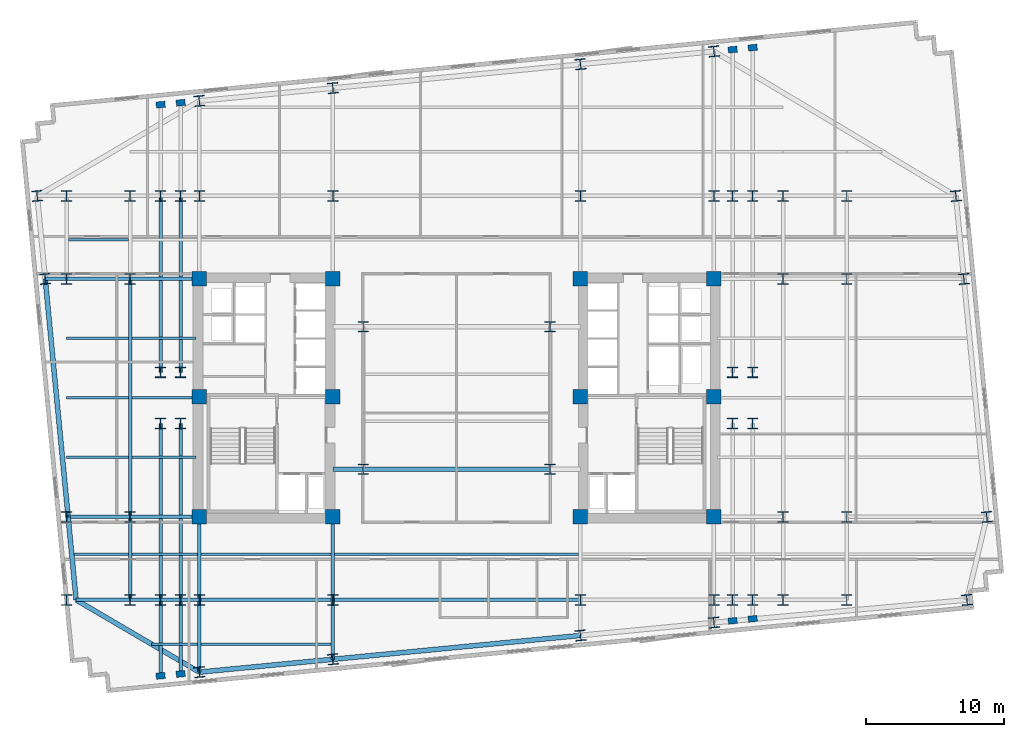
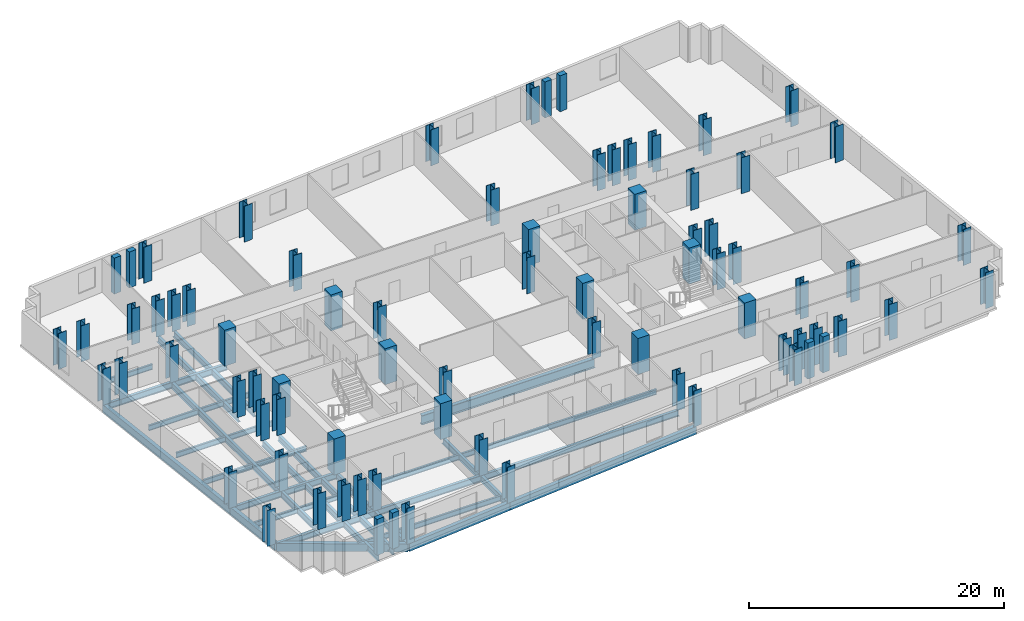
# One storey, part 1 of 11: 78 columns, 41 beams.
"""IFC4 building model written with IfcOpenShell, lengths in metres."""

import ifcopenshell
import ifcopenshell.guid

model = None  # the IFC model being written
_history = None  # IfcOwnerHistory: only IFC2X3 demands one
_inside = {}  # id of a spatial element -> (the spatial element, [elements in it])
_under = {}  # id of a project, library or spatial element -> (it, [spatial elements below it])
_declared = {}  # id of a project -> (the project, [libraries it declares])
_typed = {}  # id of a type object -> (the type object, [elements of that type])
_made_of = {}  # id of a material, layer set ... -> (it, [elements and type objects made of it])


def new_model(schema):
    """Start an empty IFC model of exactly this schema.

    Asked for "IFC4X3", IfcOpenShell would pick the latest addendum, in which some entities
    have other attributes; the version numbers below select the first issue.
    IFC2X3 requires an IfcOwnerHistory on every rooted entity: one is made here for all.
    """
    global model, _history
    if schema == "IFC4X3":
        model = ifcopenshell.file(schema_version=(4, 3, 0, 0))
    else:
        model = ifcopenshell.file(schema=schema)
    _inside.clear()
    _under.clear()
    _declared.clear()
    _typed.clear()
    _made_of.clear()
    _history = None
    if model.schema == "IFC2X3":
        org = make("IfcOrganization", Name="unknown")
        user = make(
            "IfcPersonAndOrganization",
            ThePerson=make("IfcPerson", FamilyName="unknown"),
            TheOrganization=org,
        )
        app = make(
            "IfcApplication",
            ApplicationDeveloper=org,
            Version="unknown",
            ApplicationFullName="unknown",
            ApplicationIdentifier="unknown",
        )
        _history = make(
            "IfcOwnerHistory",
            OwningUser=user,
            OwningApplication=app,
            ChangeAction="ADDED",
            CreationDate=0,
        )
    return model


def make(cls, **values):
    """One entity of the class cls with the attributes given. An attribute that is None is left unset."""
    return model.create_entity(
        cls, **{name: value for name, value in values.items() if value is not None}
    )


def rooted(cls, **values):
    """An entity with a GlobalId (a new one), such as an element, a storey or a relation."""
    return make(cls, GlobalId=ifcopenshell.guid.new(), OwnerHistory=_history, **values)


def si_unit(unit_type, name, prefix=None):
    """IfcSIUnit, for example si_unit("LENGTHUNIT", "METRE", prefix="MILLI")."""
    return make("IfcSIUnit", UnitType=unit_type, Prefix=prefix, Name=name)


def assignment(units):
    """IfcUnitAssignment: the units of a project."""
    return None if units is None else make("IfcUnitAssignment", Units=units)


def point(xyz):
    """IfcCartesianPoint."""
    return None if xyz is None else make("IfcCartesianPoint", Coordinates=xyz)


def direction(xyz):
    """IfcDirection."""
    return None if xyz is None else make("IfcDirection", DirectionRatios=xyz)


def frame(location, z_axis=None, x_axis=None):
    """IfcAxis2Placement3D, a coordinate frame: its origin and axes. An axis left out is left unset."""
    return make(
        "IfcAxis2Placement3D",
        Location=point(location),
        Axis=direction(z_axis),
        RefDirection=direction(x_axis),
    )


def frame_2d(location, x_axis=None):
    """IfcAxis2Placement2D, a coordinate frame in the plane: its origin and x axis."""
    return make(
        "IfcAxis2Placement2D", Location=point(location), RefDirection=direction(x_axis)
    )


def origin():
    """The frame at (0, 0, 0) with its axes left unset."""
    return frame((0.0, 0.0, 0.0))


def origin_2d():
    """The frame at (0, 0) in the plane with its x axis left unset."""
    return frame_2d((0.0, 0.0))


def place(relative_to, where):
    """IfcLocalPlacement: puts the frame where relative to a parent placement (None: the world)."""
    return make(
        "IfcLocalPlacement", PlacementRelTo=relative_to, RelativePlacement=where
    )


def context(
    kind, dimensions, precision=None, world=None, true_north=None, identifier=None
):
    """IfcGeometricRepresentationContext, for example the 3D "Model" context."""
    return make(
        "IfcGeometricRepresentationContext",
        ContextIdentifier=identifier,
        ContextType=kind,
        CoordinateSpaceDimension=dimensions,
        Precision=precision,
        WorldCoordinateSystem=world,
        TrueNorth=true_north,
    )


def subcontext(parent, identifier, kind, view, scale=None):
    """IfcGeometricRepresentationSubContext, for example "Body" below "Model"."""
    return make(
        "IfcGeometricRepresentationSubContext",
        ContextIdentifier=identifier,
        ContextType=kind,
        ParentContext=parent,
        TargetScale=scale,
        TargetView=view,
    )


def project(units=None, contexts=None):
    """IfcProject with its units and contexts."""
    return rooted(
        "IfcProject",
        Name="project",
        RepresentationContexts=contexts,
        UnitsInContext=assignment(units),
    )


def spatial(cls, under=None, at=None, **own):
    """A site, building, storey or space (cls), placed at a placement, below another one or the project."""
    s = rooted(cls, ObjectPlacement=at, **own)
    if under is not None:
        _under.setdefault(under.id(), (under, []))[1].append(s)
    return s


def profile(cls, at=None, kind="AREA", **sizes):
    """A parametric profile (cls). Its sizes go by their IFC names, for example OverallWidth=200.0."""
    return make(cls, ProfileType=kind, Position=at, **sizes)


def rectangle(**sizes):
    """IfcRectangleProfileDef."""
    return profile("IfcRectangleProfileDef", **sizes)


def i_section(**sizes):
    """IfcIShapeProfileDef."""
    return profile("IfcIShapeProfileDef", **sizes)


def extrude(swept, where, along, depth):
    """IfcExtrudedAreaSolid: the profile swept, set in the frame where, extruded along a direction by depth."""
    return make(
        "IfcExtrudedAreaSolid",
        SweptArea=swept,
        Position=where,
        ExtrudedDirection=direction(along),
        Depth=depth,
    )


def shape(context_of_items, identifier, shape_type, items):
    """IfcShapeRepresentation: the items that make up one representation, for example the "Body"."""
    return make(
        "IfcShapeRepresentation",
        ContextOfItems=context_of_items,
        RepresentationIdentifier=identifier,
        RepresentationType=shape_type,
        Items=items,
    )


def material(Name=None, Category=None):
    """IfcMaterial."""
    return make("IfcMaterial", Name=Name, Category=Category)


def material_profile(
    of_material, cross_section, Name=None, Category=None, Priority=None
):
    """IfcMaterialProfile: a cross section and its material."""
    return make(
        "IfcMaterialProfile",
        Name=Name,
        Material=of_material,
        Profile=cross_section,
        Priority=Priority,
        Category=Category,
    )


def profile_set(profiles, Name=None, composite=None):
    """IfcMaterialProfileSet."""
    return make(
        "IfcMaterialProfileSet",
        Name=Name,
        MaterialProfiles=profiles,
        CompositeProfile=composite,
    )


def made_of(thing, what):
    """Note that an element or type object is made of a material, layer set ...; save() writes the relation."""
    if what is not None:
        _made_of.setdefault(what.id(), (what, []))[1].append(thing)
    return thing


def type_object(cls, material=None, **own):
    """A type object (cls), such as IfcWallType, which elements share."""
    return made_of(rooted(cls, **own), material)


def element(
    cls,
    number,
    at=None,
    inside=None,
    cuts=None,
    type_object=None,
    material=None,
    context=None,
    identifier="Body",
    shape_type=None,
    held_by="IfcProductDefinitionShape",
    body=None,
    shapes=None,
    **own,
):
    """One element of the class cls, such as IfcWall. Its Tag is "e" and its number.

    at: its placement. inside: the storey or other place that contains it. cuts: it is an
    opening in that element (IfcRelVoidsElement). A single representation is given by context,
    identifier, shape_type and body (its items); several are given by shapes. held_by: the class
    of the entity that holds the representations. save() writes the other relations.
    """
    e = rooted(cls, Tag="e%d" % number, ObjectPlacement=at, **own)
    if body is not None:
        shapes = [shape(context, identifier, shape_type, body)]
    if shapes is not None:
        e.Representation = make(held_by, Representations=shapes)
    if inside is not None:
        _inside.setdefault(inside.id(), (inside, []))[1].append(e)
    if cuts is not None:
        rooted(
            "IfcRelVoidsElement", RelatingBuildingElement=cuts, RelatedOpeningElement=e
        )
    if type_object is not None:
        _typed.setdefault(type_object.id(), (type_object, []))[1].append(e)
    return made_of(e, material)


def aggregate(whole, parts):
    """IfcRelAggregates: a whole, such as a stair, and the parts it consists of."""
    return rooted("IfcRelAggregates", RelatingObject=whole, RelatedObjects=parts)


def save(model, path):
    """Write the relations noted so far, then the file.

    IfcRelAggregates (storeys below a building ...), IfcRelContainedInSpatialStructure (elements
    in a storey), IfcRelDefinesByType, IfcRelAssociatesMaterial and IfcRelDeclares: one each for
    every whole, place, type object, material and project.
    """
    for whole, parts in _under.values():
        aggregate(whole, parts)
    for where, things in _inside.values():
        rooted(
            "IfcRelContainedInSpatialStructure",
            RelatedElements=things,
            RelatingStructure=where,
        )
    for kind, things in _typed.values():
        rooted("IfcRelDefinesByType", RelatedObjects=things, RelatingType=kind)
    for what, things in _made_of.values():
        rooted("IfcRelAssociatesMaterial", RelatedObjects=things, RelatingMaterial=what)
    for by, libraries in _declared.values():
        rooted("IfcRelDeclares", RelatingContext=by, RelatedDefinitions=libraries)
    model.write(path)


model = new_model("IFC4")

# Units and contexts
model_context = context("Model", 3, precision=1e-05, world=origin(), true_north=direction((0.0, 1.0)))
body_context = subcontext(model_context, "Body", "Model", "MODEL_VIEW")
ifc_project = project(units=[si_unit("LENGTHUNIT", "METRE"), si_unit("AREAUNIT", "SQUARE_METRE"), si_unit("VOLUMEUNIT", "CUBIC_METRE"), si_unit("PLANEANGLEUNIT", "RADIAN"), si_unit("MASSUNIT", "GRAM", prefix="KILO")], contexts=[model_context])

# Site, building, storey
site_placement = place(None, origin())
site = spatial("IfcSite", under=ifc_project, at=site_placement, CompositionType="ELEMENT")
building_placement = place(site_placement, origin())
building = spatial("IfcBuilding", under=site, at=building_placement, Name="Velakula Bourse", CompositionType="ELEMENT")
storey_placement = place(building_placement, frame((0.0, 0.0, 101.800048828125)))
storey = spatial("IfcBuildingStorey", under=building, at=storey_placement, Name="L27", CompositionType="ELEMENT", Elevation=101.800048828125)

# Columns
ifc_material_1 = material(Name="Concrete M70 (fck 70 MPa)", Category="concrete")
ifc_material_profile_1 = material_profile(ifc_material_1, rectangle(XDim=1.050048828125, YDim=1.050048828125, at=origin_2d()), Name="Concrete M70 (fck 70 MPa)")
ifc_profile_set_1 = profile_set([ifc_material_profile_1], Name="Concrete M70 (fck 70 MPa)")
column_type_1 = type_object("IfcColumnType", Name="COL-RC-1050", PredefinedType="COLUMN", material=ifc_profile_set_1)
for number, where, z_axis, x_axis, name in (
    (1, (-8.949951171875, -8.60009765625, 0.0), (0.0, 0.0, 1.0), (1.0, 0.0, 0.0), "L27 Core Boundary Column 01"),
    (2, (-8.949951171875, 0.10009765625, 0.0), (0.0, 0.0, 1.0), (1.0, 0.0, 0.0), "L27 Core Boundary Column 02"),
    (3, (-8.949951171875, 8.60009765625, 0.0), (0.0, 0.0, 1.0), (1.0, 0.0, 0.0), "L27 Core Boundary Column 03"),
    (4, (-18.60009765625, -8.60009765625, 0.0), (0.0, 0.0, 1.0), (1.0, 0.0, 0.0), "L27 Core Boundary Column 04"),
    (5, (-18.60009765625, 0.10009765625, 0.0), (0.0, 0.0, 1.0), (1.0, 0.0, 0.0), "L27 Core Boundary Column 05"),
    (6, (-18.60009765625, 8.60009765625, 0.0), (0.0, 0.0, 1.0), (1.0, 0.0, 0.0), "L27 Core Boundary Column 06"),
    (7, (8.949951171875, -8.60009765625, 0.0), (0.0, 0.0, 1.0), (1.0, 0.0, 0.0), "L27 Core Boundary Column 07"),
    (8, (8.949951171875, 0.10009765625, 0.0), (0.0, 0.0, 1.0), (1.0, 0.0, 0.0), "L27 Core Boundary Column 08"),
    (9, (8.949951171875, 8.60009765625, 0.0), (0.0, 0.0, 1.0), (1.0, 0.0, 0.0), "L27 Core Boundary Column 09"),
    (10, (18.60009765625, -8.60009765625, 0.0), (0.0, 0.0, 1.0), (1.0, 0.0, 0.0), "L27 Core Boundary Column 10"),
    (11, (18.60009765625, 0.10009765625, 0.0), (0.0, 0.0, 1.0), (1.0, 0.0, 0.0), "L27 Core Boundary Column 11"),
    (12, (18.60009765625, 8.60009765625, 0.0), (0.0, 0.0, 1.0), (1.0, 0.0, 0.0), "L27 Core Boundary Column 12"),
):
    element("IfcColumn", number, at=place(storey_placement, frame(where, z_axis=z_axis, x_axis=x_axis)), inside=storey, type_object=column_type_1, Name=name, PredefinedType="COLUMN", context=body_context, shape_type="SweptSolid", body=[
        extrude(rectangle(XDim=1.050048828125, YDim=1.050048828125, at=origin_2d()), origin(), (0.0, 0.0, 1.0), 3.449951171875),
    ])
ifc_material_2 = material(Name="Steel IS 2062 Grade 450 (E450)", Category="steel")
ifc_material_profile_2 = material_profile(ifc_material_2, i_section(OverallWidth=0.75, OverallDepth=0.75, WebThickness=0.030029296875, FlangeThickness=0.0439453125, at=origin_2d()), Name="Steel IS 2062 Grade 450 (E450)")
ifc_profile_set_2 = profile_set([ifc_material_profile_2], Name="Steel IS 2062 Grade 450 (E450)")
column_type_2 = type_object("IfcColumnType", Name="COL-STL-750", PredefinedType="COLUMN", material=ifc_profile_set_2)
for number, where, z_axis, x_axis, name in (
    (13, (-6.75, -5.14990234375, 0.0), (0.0, 0.0, 1.0), (1.0, 0.0, 0.0), "L27 Central Spine Column 01"),
    (14, (-6.75, 5.14990234375, 0.0), (0.0, 0.0, 1.0), (1.0, 0.0, 0.0), "L27 Central Spine Column 02"),
    (15, (6.75, -5.14990234375, 0.0), (0.0, 0.0, 1.0), (1.0, 0.0, 0.0), "L27 Central Spine Column 03"),
    (16, (6.75, 5.14990234375, 0.0), (0.0, 0.0, 1.0), (1.0, 0.0, 0.0), "L27 Central Spine Column 04"),
    (17, (-21.39990234375, -14.60009765625, 0.0), (0.0, 0.0, 1.0), (1.0, 0.0, 0.0), "L27 Tower Fulcrum Column 01"),
    (18, (-21.39990234375, 14.60009765625, 0.0), (0.0, 0.0, 1.0), (1.0, 0.0, 0.0), "L27 Tower Fulcrum Column 02"),
    (19, (-19.949951171875, -14.60009765625, 0.0), (0.0, 0.0, 1.0), (1.0, 0.0, 0.0), "L27 Tower Fulcrum Column 03"),
    (20, (-19.949951171875, 14.60009765625, 0.0), (0.0, 0.0, 1.0), (1.0, 0.0, 0.0), "L27 Tower Fulcrum Column 04"),
    (21, (-18.60009765625, -14.60009765625, 0.0), (0.0, 0.0, 1.0), (1.0, 0.0, 0.0), "L27 Tower Fulcrum Column 05"),
    (22, (-18.60009765625, 14.60009765625, 0.0), (0.0, 0.0, 1.0), (1.0, 0.0, 0.0), "L27 Tower Fulcrum Column 06"),
    (23, (-8.949951171875, -14.60009765625, 0.0), (0.0, 0.0, 1.0), (1.0, 0.0, 0.0), "L27 Tower Fulcrum Column 07"),
    (24, (-8.949951171875, 14.60009765625, 0.0), (0.0, 0.0, 1.0), (1.0, 0.0, 0.0), "L27 Tower Fulcrum Column 08"),
    (25, (8.949951171875, -14.60009765625, 0.0), (0.0, 0.0, 1.0), (1.0, 0.0, 0.0), "L27 Tower Fulcrum Column 09"),
    (26, (8.949951171875, 14.60009765625, 0.0), (0.0, 0.0, 1.0), (1.0, 0.0, 0.0), "L27 Tower Fulcrum Column 10"),
    (27, (18.60009765625, -14.60009765625, 0.0), (0.0, 0.0, 1.0), (1.0, 0.0, 0.0), "L27 Tower Fulcrum Column 11"),
    (28, (18.60009765625, 14.60009765625, 0.0), (0.0, 0.0, 1.0), (1.0, 0.0, 0.0), "L27 Tower Fulcrum Column 12"),
    (29, (19.949951171875, -14.60009765625, 0.0), (0.0, 0.0, 1.0), (1.0, 0.0, 0.0), "L27 Tower Fulcrum Column 13"),
    (30, (19.949951171875, 14.60009765625, 0.0), (0.0, 0.0, 1.0), (1.0, 0.0, 0.0), "L27 Tower Fulcrum Column 14"),
    (31, (21.39990234375, -14.60009765625, 0.0), (0.0, 0.0, 1.0), (1.0, 0.0, 0.0), "L27 Tower Fulcrum Column 15"),
    (32, (21.39990234375, 14.60009765625, 0.0), (0.0, 0.0, 1.0), (1.0, 0.0, 0.0), "L27 Tower Fulcrum Column 16"),
    (33, (-21.39990234375, -1.85009765625, 0.0), (0.0, 0.0, 1.0), (1.0, 0.0, 0.0), "L27 Tower Fulcrum Column 17"),
    (34, (-21.39990234375, 1.85009765625, 0.0), (0.0, 0.0, 1.0), (1.0, 0.0, 0.0), "L27 Tower Fulcrum Column 18"),
    (35, (-19.949951171875, -1.85009765625, 0.0), (0.0, 0.0, 1.0), (1.0, 0.0, 0.0), "L27 Tower Fulcrum Column 19"),
    (36, (-19.949951171875, 1.85009765625, 0.0), (0.0, 0.0, 1.0), (1.0, 0.0, 0.0), "L27 Tower Fulcrum Column 20"),
    (37, (19.949951171875, -1.85009765625, 0.0), (0.0, 0.0, 1.0), (1.0, 0.0, 0.0), "L27 Tower Fulcrum Column 21"),
    (38, (19.949951171875, 1.85009765625, 0.0), (0.0, 0.0, 1.0), (1.0, 0.0, 0.0), "L27 Tower Fulcrum Column 22"),
    (39, (21.39990234375, -1.85009765625, 0.0), (0.0, 0.0, 1.0), (1.0, 0.0, 0.0), "L27 Tower Fulcrum Column 23"),
    (40, (21.39990234375, 1.85009765625, 0.0), (0.0, 0.0, 1.0), (1.0, 0.0, 0.0), "L27 Tower Fulcrum Column 24"),
    (41, (-23.60009765625, -14.60009765625, 0.0), (0.0, 0.0, 1.0), (1.0, 0.0, 0.0), "L27 Mid-Wing Plumb Column 01"),
    (42, (-23.60009765625, -8.60009765625, 0.0), (0.0, 0.0, 1.0), (1.0, 0.0, 0.0), "L27 Mid-Wing Plumb Column 02"),
    (43, (-23.60009765625, 8.60009765625, 0.0), (0.0, 0.0, 1.0), (1.0, 0.0, 0.0), "L27 Mid-Wing Plumb Column 03"),
    (44, (-23.60009765625, 14.60009765625, 0.0), (0.0, 0.0, 1.0), (1.0, 0.0, 0.0), "L27 Mid-Wing Plumb Column 04"),
    (45, (23.60009765625, -14.60009765625, 0.0), (0.0, 0.0, 1.0), (1.0, 0.0, 0.0), "L27 Mid-Wing Plumb Column 05"),
    (46, (23.60009765625, -8.60009765625, 0.0), (0.0, 0.0, 1.0), (1.0, 0.0, 0.0), "L27 Mid-Wing Plumb Column 06"),
    (47, (23.60009765625, 8.60009765625, 0.0), (0.0, 0.0, 1.0), (1.0, 0.0, 0.0), "L27 Mid-Wing Plumb Column 07"),
    (48, (23.60009765625, 14.60009765625, 0.0), (0.0, 0.0, 1.0), (1.0, 0.0, 0.0), "L27 Mid-Wing Plumb Column 08"),
    (49, (-28.199951171875, -14.60009765625, 0.0), (0.0, 0.0, 1.0), (1.0, 0.0, 0.0), "L27 Lower Wing Column 01"),
    (50, (-28.199951171875, -8.60009765625, 0.0), (0.0, 0.0, 1.0), (1.0, 0.0, 0.0), "L27 Lower Wing Column 02"),
    (51, (-28.199951171875, 8.60009765625, 0.0), (0.0, 0.0, 1.0), (1.0, 0.0, 0.0), "L27 Lower Wing Column 03"),
    (52, (-28.199951171875, 14.60009765625, 0.0), (0.0, 0.0, 1.0), (1.0, 0.0, 0.0), "L27 Lower Wing Column 04"),
    (53, (28.199951171875, -14.60009765625, 0.0), (0.0, 0.0, 1.0), (1.0, 0.0, 0.0), "L27 Lower Wing Column 05"),
    (54, (28.199951171875, -8.60009765625, 0.0), (0.0, 0.0, 1.0), (1.0, 0.0, 0.0), "L27 Lower Wing Column 06"),
    (55, (28.199951171875, 8.60009765625, 0.0), (0.0, 0.0, 1.0), (1.0, 0.0, 0.0), "L27 Lower Wing Column 07"),
    (56, (28.199951171875, 14.60009765625, 0.0), (0.0, 0.0, 1.0), (1.0, 0.0, 0.0), "L27 Lower Wing Column 08"),
    (57, (-18.60009765625, -19.8212890625, 0.0), (0.0, 0.0, 1.0), (0.995396198367, 0.09584575252, 0.0), "L27 Block B2 Perimeter Column S1"),
    (58, (-8.949951171875, -18.89208984375, 0.0), (0.0, 0.0, 1.0), (0.995396198367, 0.09584575252, 0.0), "L27 Block B2 Perimeter Column S2"),
    (59, (8.949951171875, -17.16845703125, 0.0), (0.0, 0.0, 1.0), (0.995396198367, 0.09584575252, 0.0), "L27 Block B2 Perimeter Column S3"),
    (60, (18.60009765625, -16.2392578125, 0.0), (0.0, 0.0, 1.0), (0.995396198367, 0.09584575252, 0.0), "L27 Block B2 Perimeter Column S4"),
    (61, (-18.60009765625, 21.468994140625, 0.0), (0.0, 0.0, 1.0), (0.995396198367, 0.09584575252, 0.0), "L27 Block B2 Perimeter Column N1"),
    (62, (-8.949951171875, 22.398193359375, 0.0), (0.0, 0.0, 1.0), (0.995396198367, 0.09584575252, 0.0), "L27 Block B2 Perimeter Column N2"),
    (63, (8.949951171875, 24.12158203125, 0.0), (0.0, 0.0, 1.0), (0.995396198367, 0.09584575252, 0.0), "L27 Block B2 Perimeter Column N3"),
    (64, (18.60009765625, 25.05078125, 0.0), (0.0, 0.0, 1.0), (0.995396198367, 0.09584575252, 0.0), "L27 Block B2 Perimeter Column N4"),
    (65, (-29.7421875, 8.60009765625, 0.0), (0.0, 0.0, 1.0), (0.995396198367, 0.09584575252, 0.0), "L27 Block B2 Perimeter Column W3"),
    (66, (-30.31982421875, 14.60009765625, 0.0), (0.0, 0.0, 1.0), (0.995396198367, 0.09584575252, 0.0), "L27 Block B2 Perimeter Column W4"),
    (67, (36.88818359375, -14.60009765625, 0.0), (0.0, 0.0, 1.0), (0.995396198367, 0.09584575252, 0.0), "L27 Block B2 Perimeter Column E1"),
    (68, (38.31982421875, -8.60009765625, 0.0), (0.0, 0.0, 1.0), (0.995396198367, 0.09584575252, 0.0), "L27 Block B2 Perimeter Column E2"),
    (69, (36.66357421875, 8.60009765625, 0.0), (0.0, 0.0, 1.0), (0.995396198367, 0.09584575252, 0.0), "L27 Block B2 Perimeter Column E3"),
    (70, (36.0859375, 14.60009765625, 0.0), (0.0, 0.0, 1.0), (0.995396198367, 0.09584575252, 0.0), "L27 Block B2 Perimeter Column E4"),
):
    element("IfcColumn", number, at=place(storey_placement, frame(where, z_axis=z_axis, x_axis=x_axis)), inside=storey, type_object=column_type_2, Name=name, PredefinedType="COLUMN", context=body_context, shape_type="SweptSolid", body=[
        extrude(i_section(OverallWidth=0.75, OverallDepth=0.75, WebThickness=0.030029296875, FlangeThickness=0.0439453125, at=origin_2d()), origin(), (0.0, 0.0, 1.0), 3.449951171875),
    ])
ifc_material_3 = material(Name="Precast concrete M45 (fck 45 MPa)", Category="concrete")
ifc_material_profile_3 = material_profile(ifc_material_3, rectangle(XDim=0.64990234375, YDim=0.449951171875, at=origin_2d()), Name="Precast concrete M45 (fck 45 MPa)")
ifc_profile_set_3 = profile_set([ifc_material_profile_3], Name="Precast concrete M45 (fck 45 MPa)")
column_type_3 = type_object("IfcColumnType", Name="PIL-BRICK-650", PredefinedType="PILASTER", material=ifc_profile_set_3)
for number, where, z_axis, x_axis, name in (
    (71, (-21.39990234375, -20.0908203125, 0.0), (0.0, 0.0, 1.0), (0.995396198367, 0.09584575252, 0.0), "L27 Brick Pier Pilaster 01"),
    (72, (-19.949951171875, -19.951171875, 0.0), (0.0, 0.0, 1.0), (0.995396198367, 0.09584575252, 0.0), "L27 Brick Pier Pilaster 02"),
    (73, (19.949951171875, -16.109130859375, 0.0), (0.0, 0.0, 1.0), (0.995396198367, 0.09584575252, 0.0), "L27 Brick Pier Pilaster 03"),
    (74, (21.39990234375, -15.969482421875, 0.0), (0.0, 0.0, 1.0), (0.995396198367, 0.09584575252, 0.0), "L27 Brick Pier Pilaster 04"),
    (75, (-21.39990234375, 21.19921875, 0.0), (0.0, 0.0, 1.0), (0.995396198367, 0.09584575252, 0.0), "L27 Brick Pier Pilaster 05"),
    (76, (-19.949951171875, 21.3388671875, 0.0), (0.0, 0.0, 1.0), (0.995396198367, 0.09584575252, 0.0), "L27 Brick Pier Pilaster 06"),
    (77, (19.949951171875, 25.180908203125, 0.0), (0.0, 0.0, 1.0), (0.995396198367, 0.09584575252, 0.0), "L27 Brick Pier Pilaster 07"),
    (78, (21.39990234375, 25.320556640625, 0.0), (0.0, 0.0, 1.0), (0.995396198367, 0.09584575252, 0.0), "L27 Brick Pier Pilaster 08"),
):
    element("IfcColumn", number, at=place(storey_placement, frame(where, z_axis=z_axis, x_axis=x_axis)), inside=storey, type_object=column_type_3, Name=name, PredefinedType="PILASTER", context=body_context, shape_type="SweptSolid", body=[
        extrude(rectangle(XDim=0.64990234375, YDim=0.449951171875, at=origin_2d()), origin(), (0.0, 0.0, 1.0), 3.449951171875),
    ])

# Beams
ifc_material_4 = material(Name="Steel IS 2062 Grade 350 (E350)", Category="steel")
ifc_material_profile_4 = material_profile(ifc_material_4, i_section(OverallWidth=0.25, OverallDepth=0.60009765625, WebThickness=0.01171875, FlangeThickness=0.023681640625, at=origin_2d()), Name="Steel IS 2062 Grade 350 (E350)")
ifc_profile_set_4 = profile_set([ifc_material_profile_4], Name="Steel IS 2062 Grade 350 (E350)")
beam_type_1 = type_object("IfcBeamType", Name="BM-GRD-600H", PredefinedType="BEAM", material=ifc_profile_set_4)
for number, where, z_axis, x_axis, name in (
    (79, (-18.60009765625, -14.60009765625, -0.47998046875), (0.0, 1.0, 0.0), (-1.0, 0.0, 0.0), "L27 Fulcrum Grid Girder FLC-WS"),
    (80, (-8.949951171875, -14.60009765625, -0.47998046875), (0.0, 1.0, 0.0), (-1.0, 0.0, 0.0), "L27 Fulcrum Grid Girder FLC-WCS"),
):
    element("IfcBeam", number, at=place(storey_placement, frame(where, z_axis=z_axis, x_axis=x_axis)), inside=storey, type_object=beam_type_1, Name=name, PredefinedType="BEAM", context=body_context, shape_type="SweptSolid", body=[
        extrude(i_section(OverallWidth=0.25, OverallDepth=0.60009765625, WebThickness=0.01171875, FlangeThickness=0.023681640625, at=origin_2d()), origin(), (0.0, 0.0, 1.0), 6.0),
    ])
beam_1_placement = place(storey_placement, frame((-18.60009765625, -14.60009765625, -0.47998046875), z_axis=(1.0, 0.0, 0.0), x_axis=(0.0, 1.0, 0.0)))
element("IfcBeam", 81, at=beam_1_placement, inside=storey, type_object=beam_type_1, Name="L27 Fulcrum Grid Girder FLC-S1", PredefinedType="BEAM", context=body_context, shape_type="SweptSolid", body=[
    extrude(i_section(OverallWidth=0.25, OverallDepth=0.60009765625, WebThickness=0.01171875, FlangeThickness=0.023681640625, at=origin_2d()), origin(), (0.0, 0.0, 1.0), 9.650146484375),
])
beam_2_placement = place(storey_placement, frame((-8.949951171875, -14.60009765625, -0.47998046875), z_axis=(1.0, 0.0, 0.0), x_axis=(0.0, 1.0, 0.0)))
element("IfcBeam", 82, at=beam_2_placement, inside=storey, type_object=beam_type_1, Name="L27 Fulcrum Grid Girder FLC-S2", PredefinedType="BEAM", context=body_context, shape_type="SweptSolid", body=[
    extrude(i_section(OverallWidth=0.25, OverallDepth=0.60009765625, WebThickness=0.01171875, FlangeThickness=0.023681640625, at=origin_2d()), origin(), (0.0, 0.0, 1.0), 17.89990234375),
])
for number, where, z_axis, x_axis, name in (
    (83, (-21.39990234375, -14.60009765625, -0.47998046875), (0.0, 1.0, 0.0), (-1.0, 0.0, 0.0), "L27 Fulcrum Grid Girder FLC-PSW1"),
    (84, (-21.39990234375, 1.85009765625, -0.47998046875), (0.0, 1.0, 0.0), (-1.0, 0.0, 0.0), "L27 Fulcrum Grid Girder FLC-PNW1"),
    (85, (-19.949951171875, -14.60009765625, -0.47998046875), (0.0, 1.0, 0.0), (-1.0, 0.0, 0.0), "L27 Fulcrum Grid Girder FLC-PSW2"),
    (86, (-19.949951171875, 1.85009765625, -0.47998046875), (0.0, 1.0, 0.0), (-1.0, 0.0, 0.0), "L27 Fulcrum Grid Girder FLC-PNW2"),
):
    element("IfcBeam", number, at=place(storey_placement, frame(where, z_axis=z_axis, x_axis=x_axis)), inside=storey, type_object=beam_type_1, Name=name, PredefinedType="BEAM", context=body_context, shape_type="SweptSolid", body=[
        extrude(i_section(OverallWidth=0.25, OverallDepth=0.60009765625, WebThickness=0.01171875, FlangeThickness=0.023681640625, at=origin_2d()), origin(), (0.0, 0.0, 1.0), 12.75),
    ])
for number, where, z_axis, x_axis, name in (
    (87, (-23.60009765625, -14.60009765625, -0.47998046875), (1.0, 0.0, 0.0), (0.0, 1.0, 0.0), "L27 Fulcrum Grid Girder MWG-WS1"),
    (88, (-23.60009765625, -8.60009765625, -0.47998046875), (1.0, 0.0, 0.0), (0.0, 1.0, 0.0), "L27 Fulcrum Grid Girder MWG-WS2"),
    (89, (-23.60009765625, 8.60009765625, -0.47998046875), (1.0, 0.0, 0.0), (0.0, 1.0, 0.0), "L27 Fulcrum Grid Girder MWG-WN1"),
):
    element("IfcBeam", number, at=place(storey_placement, frame(where, z_axis=z_axis, x_axis=x_axis)), inside=storey, type_object=beam_type_1, Name=name, PredefinedType="BEAM", context=body_context, shape_type="SweptSolid", body=[
        extrude(i_section(OverallWidth=0.25, OverallDepth=0.60009765625, WebThickness=0.01171875, FlangeThickness=0.023681640625, at=origin_2d()), origin(), (0.0, 0.0, 1.0), 5.0),
    ])
beam_3_placement = place(storey_placement, frame((-23.60009765625, -14.60009765625, -0.47998046875), z_axis=(0.0, 1.0, 0.0), x_axis=(-1.0, 0.0, 0.0)))
element("IfcBeam", 90, at=beam_3_placement, inside=storey, type_object=beam_type_1, Name="L27 Fulcrum Grid Girder MWG-WNS1", PredefinedType="BEAM", context=body_context, shape_type="SweptSolid", body=[
    extrude(i_section(OverallWidth=0.25, OverallDepth=0.60009765625, WebThickness=0.01171875, FlangeThickness=0.023681640625, at=origin_2d()), origin(), (0.0, 0.0, 1.0), 6.0),
])
beam_4_placement = place(storey_placement, frame((-23.60009765625, -8.60009765625, -0.47998046875), z_axis=(0.0, 1.0, 0.0), x_axis=(-1.0, 0.0, 0.0)))
element("IfcBeam", 91, at=beam_4_placement, inside=storey, type_object=beam_type_1, Name="L27 Fulcrum Grid Girder MWG-WNS2", PredefinedType="BEAM", context=body_context, shape_type="SweptSolid", body=[
    extrude(i_section(OverallWidth=0.25, OverallDepth=0.60009765625, WebThickness=0.01171875, FlangeThickness=0.023681640625, at=origin_2d()), origin(), (0.0, 0.0, 1.0), 17.2001953125),
])
beam_5_placement = place(storey_placement, frame((-27.50830078125, -14.60009765625, -0.47998046875), z_axis=(1.0, 0.0, 0.0), x_axis=(0.0, 1.0, 0.0)))
element("IfcBeam", 92, at=beam_5_placement, inside=storey, type_object=beam_type_1, Name="L27 Fulcrum Grid Girder WNG-WS1", PredefinedType="BEAM", context=body_context, shape_type="SweptSolid", body=[
    extrude(i_section(OverallWidth=0.25, OverallDepth=0.60009765625, WebThickness=0.01171875, FlangeThickness=0.023681640625, at=origin_2d()), origin(), (0.0, 0.0, 1.0), 3.908203125),
])
beam_6_placement = place(storey_placement, frame((-28.0859375, -8.60009765625, -0.47998046875), z_axis=(1.0, 0.0, 0.0), x_axis=(0.0, 1.0, 0.0)))
element("IfcBeam", 93, at=beam_6_placement, inside=storey, type_object=beam_type_1, Name="L27 Fulcrum Grid Girder WNG-WS2", PredefinedType="BEAM", context=body_context, shape_type="SweptSolid", body=[
    extrude(i_section(OverallWidth=0.25, OverallDepth=0.60009765625, WebThickness=0.01171875, FlangeThickness=0.023681640625, at=origin_2d()), origin(), (0.0, 0.0, 1.0), 4.48583984375),
])
beam_7_placement = place(storey_placement, frame((-28.199951171875, 8.60009765625, -0.47998046875), z_axis=(1.0, 0.0, 0.0), x_axis=(0.0, 1.0, 0.0)))
element("IfcBeam", 94, at=beam_7_placement, inside=storey, type_object=beam_type_1, Name="L27 Fulcrum Grid Girder WNG-WN1", PredefinedType="BEAM", context=body_context, shape_type="SweptSolid", body=[
    extrude(i_section(OverallWidth=0.25, OverallDepth=0.60009765625, WebThickness=0.01171875, FlangeThickness=0.023681640625, at=origin_2d()), origin(), (0.0, 0.0, 1.0), 4.599853515625),
])
beam_8_placement = place(storey_placement, frame((-18.60009765625, -14.60009765625, -0.47998046875), z_axis=(0.0, -1.0, 0.0), x_axis=(1.0, 0.0, 0.0)))
element("IfcBeam", 95, at=beam_8_placement, inside=storey, type_object=beam_type_1, Name="L27 Perimeter Tie Girder S1", PredefinedType="BEAM", context=body_context, shape_type="SweptSolid", body=[
    extrude(i_section(OverallWidth=0.25, OverallDepth=0.60009765625, WebThickness=0.01171875, FlangeThickness=0.023681640625, at=origin_2d()), origin(), (0.0, 0.0, 1.0), 5.22119140625),
])
beam_9_placement = place(storey_placement, frame((-8.949951171875, -14.60009765625, -0.47998046875), z_axis=(0.0, -1.0, 0.0), x_axis=(1.0, 0.0, 0.0)))
element("IfcBeam", 96, at=beam_9_placement, inside=storey, type_object=beam_type_1, Name="L27 Perimeter Tie Girder S2", PredefinedType="BEAM", context=body_context, shape_type="SweptSolid", body=[
    extrude(i_section(OverallWidth=0.25, OverallDepth=0.60009765625, WebThickness=0.01171875, FlangeThickness=0.023681640625, at=origin_2d()), origin(), (0.0, 0.0, 1.0), 4.2919921875),
])
beam_10_placement = place(storey_placement, frame((-28.199951171875, 8.60009765625, -0.47998046875), z_axis=(-1.0, 0.0, 0.0), x_axis=(0.0, -1.0, 0.0)))
element("IfcBeam", 97, at=beam_10_placement, inside=storey, type_object=beam_type_1, Name="L27 Perimeter Tie Girder W3", PredefinedType="BEAM", context=body_context, shape_type="SweptSolid", body=[
    extrude(i_section(OverallWidth=0.25, OverallDepth=0.60009765625, WebThickness=0.01171875, FlangeThickness=0.023681640625, at=origin_2d()), origin(), (0.0, 0.0, 1.0), 1.542236328125),
])
beam_11_placement = place(storey_placement, frame((-21.39990234375, -14.60009765625, -0.47998046875), z_axis=(0.0, -1.0, 0.0), x_axis=(1.0, 0.0, 0.0)))
element("IfcBeam", 98, at=beam_11_placement, inside=storey, type_object=beam_type_1, Name="L27 Perimeter Tie Girder P01", PredefinedType="BEAM", context=body_context, shape_type="SweptSolid", body=[
    extrude(i_section(OverallWidth=0.25, OverallDepth=0.60009765625, WebThickness=0.01171875, FlangeThickness=0.023681640625, at=origin_2d()), origin(), (0.0, 0.0, 1.0), 5.49072265625),
])
beam_12_placement = place(storey_placement, frame((-19.949951171875, -14.60009765625, -0.47998046875), z_axis=(0.0, -1.0, 0.0), x_axis=(1.0, 0.0, 0.0)))
element("IfcBeam", 99, at=beam_12_placement, inside=storey, type_object=beam_type_1, Name="L27 Perimeter Tie Girder P02", PredefinedType="BEAM", context=body_context, shape_type="SweptSolid", body=[
    extrude(i_section(OverallWidth=0.25, OverallDepth=0.60009765625, WebThickness=0.01171875, FlangeThickness=0.023681640625, at=origin_2d()), origin(), (0.0, 0.0, 1.0), 5.35107421875),
])
ifc_material_profile_5 = material_profile(ifc_material_4, i_section(OverallWidth=0.35009765625, OverallDepth=0.89990234375, WebThickness=0.02001953125, FlangeThickness=0.031982421875, at=origin_2d()), Name="Steel IS 2062 Grade 350 (E350)")
ifc_profile_set_5 = profile_set([ifc_material_profile_5], Name="Steel IS 2062 Grade 350 (E350)")
beam_type_2 = type_object("IfcBeamType", Name="BM-LNK-900", PredefinedType="BEAM", material=ifc_profile_set_5)
beam_13_placement = place(storey_placement, frame((-8.949951171875, -5.14990234375, -0.630126953125), z_axis=(1.0, 0.0, 0.0), x_axis=(0.0, 1.0, 0.0)))
element("IfcBeam", 100, at=beam_13_placement, inside=storey, type_object=beam_type_2, Name="L27 Primary Backbone Girder LNK-S1", PredefinedType="BEAM", context=body_context, shape_type="SweptSolid", body=[
    extrude(i_section(OverallWidth=0.35009765625, OverallDepth=0.89990234375, WebThickness=0.02001953125, FlangeThickness=0.031982421875, at=origin_2d()), origin(), (0.0, 0.0, 1.0), 2.199951171875),
])
beam_14_placement = place(storey_placement, frame((-6.75, -5.14990234375, -0.630126953125), z_axis=(1.0, 0.0, 0.0), x_axis=(0.0, 1.0, 0.0)))
element("IfcBeam", 101, at=beam_14_placement, inside=storey, type_object=beam_type_2, Name="L27 Primary Backbone Girder LNK-S2", PredefinedType="BEAM", context=body_context, shape_type="SweptSolid", body=[
    extrude(i_section(OverallWidth=0.35009765625, OverallDepth=0.89990234375, WebThickness=0.02001953125, FlangeThickness=0.031982421875, at=origin_2d()), origin(), (0.0, 0.0, 1.0), 13.5),
])
ifc_material_profile_6 = material_profile(ifc_material_4, i_section(OverallWidth=0.179931640625, OverallDepth=0.5, WebThickness=0.01025390625, FlangeThickness=0.01708984375, at=origin_2d()), Name="Steel IS 2062 Grade 350 (E350)")
ifc_profile_set_6 = profile_set([ifc_material_profile_6], Name="Steel IS 2062 Grade 350 (E350)")
beam_type_3 = type_object("IfcBeamType", Name="JST-TWR-500", PredefinedType="JOIST", material=ifc_profile_set_6)
beam_15_placement = place(storey_placement, frame((-22.048583984375, -17.800048828125, -0.429931640625), z_axis=(1.0, 0.0, 0.0), x_axis=(0.0, 1.0, 0.0)))
element("IfcBeam", 102, at=beam_15_placement, inside=storey, type_object=beam_type_3, Name="L27 Trading Floor Composite Joist 01", PredefinedType="JOIST", context=body_context, shape_type="SweptSolid", body=[
    extrude(i_section(OverallWidth=0.179931640625, OverallDepth=0.5, WebThickness=0.01025390625, FlangeThickness=0.01708984375, at=origin_2d()), origin(), (0.0, 0.0, 1.0), 3.323486328125),
])
beam_16_placement = place(storey_placement, frame((-18.47509765625, -17.800048828125, -0.429931640625), z_axis=(1.0, 0.0, 0.0), x_axis=(0.0, 1.0, 0.0)))
element("IfcBeam", 103, at=beam_16_placement, inside=storey, type_object=beam_type_3, Name="L27 Trading Floor Composite Joist 02", PredefinedType="JOIST", context=body_context, shape_type="SweptSolid", body=[
    extrude(i_section(OverallWidth=0.179931640625, OverallDepth=0.5, WebThickness=0.01025390625, FlangeThickness=0.01708984375, at=origin_2d()), origin(), (0.0, 0.0, 1.0), 9.400146484375),
])
beam_17_placement = place(storey_placement, frame((-27.650146484375, -11.300048828125, -0.429931640625), z_axis=(1.0, 0.0, 0.0), x_axis=(0.0, 1.0, 0.0)))
element("IfcBeam", 104, at=beam_17_placement, inside=storey, type_object=beam_type_3, Name="L27 Trading Floor Composite Joist 04", PredefinedType="JOIST", context=body_context, shape_type="SweptSolid", body=[
    extrude(i_section(OverallWidth=0.179931640625, OverallDepth=0.5, WebThickness=0.01025390625, FlangeThickness=0.01708984375, at=origin_2d()), origin(), (0.0, 0.0, 1.0), 3.925048828125),
])
beam_18_placement = place(storey_placement, frame((-23.47509765625, -11.300048828125, -0.429931640625), z_axis=(1.0, 0.0, 0.0), x_axis=(0.0, 1.0, 0.0)))
element("IfcBeam", 105, at=beam_18_placement, inside=storey, type_object=beam_type_3, Name="L27 Trading Floor Composite Joist 05", PredefinedType="JOIST", context=body_context, shape_type="SweptSolid", body=[
    extrude(i_section(OverallWidth=0.179931640625, OverallDepth=0.5, WebThickness=0.01025390625, FlangeThickness=0.01708984375, at=origin_2d()), origin(), (0.0, 0.0, 1.0), 4.75),
])
beam_19_placement = place(storey_placement, frame((-18.47509765625, -11.300048828125, -0.429931640625), z_axis=(1.0, 0.0, 0.0), x_axis=(0.0, 1.0, 0.0)))
element("IfcBeam", 106, at=beam_19_placement, inside=storey, type_object=beam_type_3, Name="L27 Trading Floor Composite Joist 06", PredefinedType="JOIST", context=body_context, shape_type="SweptSolid", body=[
    extrude(i_section(OverallWidth=0.179931640625, OverallDepth=0.5, WebThickness=0.01025390625, FlangeThickness=0.01708984375, at=origin_2d()), origin(), (0.0, 0.0, 1.0), 9.400146484375),
])
beam_20_placement = place(storey_placement, frame((-8.824951171875, -11.300048828125, -0.429931640625), z_axis=(1.0, 0.0, 0.0), x_axis=(0.0, 1.0, 0.0)))
element("IfcBeam", 107, at=beam_20_placement, inside=storey, type_object=beam_type_3, Name="L27 Trading Floor Composite Joist 07", PredefinedType="JOIST", context=body_context, shape_type="SweptSolid", body=[
    extrude(i_section(OverallWidth=0.179931640625, OverallDepth=0.5, WebThickness=0.01025390625, FlangeThickness=0.01708984375, at=origin_2d()), origin(), (0.0, 0.0, 1.0), 17.64990234375),
])
beam_21_placement = place(storey_placement, frame((-28.074951171875, 11.449951171875, -0.429931640625), z_axis=(1.0, 0.0, 0.0), x_axis=(0.0, 1.0, 0.0)))
element("IfcBeam", 108, at=beam_21_placement, inside=storey, type_object=beam_type_3, Name="L27 Trading Floor Composite Joist 12", PredefinedType="JOIST", context=body_context, shape_type="SweptSolid", body=[
    extrude(i_section(OverallWidth=0.179931640625, OverallDepth=0.5, WebThickness=0.01025390625, FlangeThickness=0.01708984375, at=origin_2d()), origin(), (0.0, 0.0, 1.0), 4.349853515625),
])
beam_22_placement = place(storey_placement, frame((-28.199951171875, -4.300048828125, -0.429931640625), z_axis=(1.0, 0.0, 0.0), x_axis=(0.0, 1.0, 0.0)))
element("IfcBeam", 109, at=beam_22_placement, inside=storey, type_object=beam_type_3, Name="L27 Trading Floor Composite Joist 33", PredefinedType="JOIST", context=body_context, shape_type="SweptSolid", body=[
    extrude(i_section(OverallWidth=0.179931640625, OverallDepth=0.5, WebThickness=0.01025390625, FlangeThickness=0.01708984375, at=origin_2d()), origin(), (0.0, 0.0, 1.0), 4.474853515625),
])
beam_23_placement = place(storey_placement, frame((-23.47509765625, -4.300048828125, -0.429931640625), z_axis=(1.0, 0.0, 0.0), x_axis=(0.0, 1.0, 0.0)))
element("IfcBeam", 110, at=beam_23_placement, inside=storey, type_object=beam_type_3, Name="L27 Trading Floor Composite Joist 34", PredefinedType="JOIST", context=body_context, shape_type="SweptSolid", body=[
    extrude(i_section(OverallWidth=0.179931640625, OverallDepth=0.5, WebThickness=0.01025390625, FlangeThickness=0.01708984375, at=origin_2d()), origin(), (0.0, 0.0, 1.0), 4.625),
])
beam_24_placement = place(storey_placement, frame((-28.199951171875, 0.0, -0.429931640625), z_axis=(1.0, 0.0, 0.0), x_axis=(0.0, 1.0, 0.0)))
element("IfcBeam", 111, at=beam_24_placement, inside=storey, type_object=beam_type_3, Name="L27 Trading Floor Composite Joist 38", PredefinedType="JOIST", context=body_context, shape_type="SweptSolid", body=[
    extrude(i_section(OverallWidth=0.179931640625, OverallDepth=0.5, WebThickness=0.01025390625, FlangeThickness=0.01708984375, at=origin_2d()), origin(), (0.0, 0.0, 1.0), 4.474853515625),
])
beam_25_placement = place(storey_placement, frame((-23.47509765625, 0.0, -0.429931640625), z_axis=(1.0, 0.0, 0.0), x_axis=(0.0, 1.0, 0.0)))
element("IfcBeam", 112, at=beam_25_placement, inside=storey, type_object=beam_type_3, Name="L27 Trading Floor Composite Joist 39", PredefinedType="JOIST", context=body_context, shape_type="SweptSolid", body=[
    extrude(i_section(OverallWidth=0.179931640625, OverallDepth=0.5, WebThickness=0.01025390625, FlangeThickness=0.01708984375, at=origin_2d()), origin(), (0.0, 0.0, 1.0), 4.625),
])
beam_26_placement = place(storey_placement, frame((-28.199951171875, 4.300048828125, -0.429931640625), z_axis=(1.0, 0.0, 0.0), x_axis=(0.0, 1.0, 0.0)))
element("IfcBeam", 113, at=beam_26_placement, inside=storey, type_object=beam_type_3, Name="L27 Trading Floor Composite Joist 43", PredefinedType="JOIST", context=body_context, shape_type="SweptSolid", body=[
    extrude(i_section(OverallWidth=0.179931640625, OverallDepth=0.5, WebThickness=0.01025390625, FlangeThickness=0.01708984375, at=origin_2d()), origin(), (0.0, 0.0, 1.0), 4.474853515625),
])
beam_27_placement = place(storey_placement, frame((-23.47509765625, 4.300048828125, -0.429931640625), z_axis=(1.0, 0.0, 0.0), x_axis=(0.0, 1.0, 0.0)))
element("IfcBeam", 114, at=beam_27_placement, inside=storey, type_object=beam_type_3, Name="L27 Trading Floor Composite Joist 44", PredefinedType="JOIST", context=body_context, shape_type="SweptSolid", body=[
    extrude(i_section(OverallWidth=0.179931640625, OverallDepth=0.5, WebThickness=0.01025390625, FlangeThickness=0.01708984375, at=origin_2d()), origin(), (0.0, 0.0, 1.0), 4.625),
])
ifc_material_profile_7 = material_profile(ifc_material_3, rectangle(XDim=0.35009765625, YDim=0.75, at=origin_2d()), Name="Precast concrete M45 (fck 45 MPa)")
ifc_profile_set_7 = profile_set([ifc_material_profile_7], Name="Precast concrete M45 (fck 45 MPa)")
beam_type_4 = type_object("IfcBeamType", Name="SPN-BRICK-750", PredefinedType="SPANDREL", material=ifc_profile_set_7)
beam_28_placement = place(storey_placement, frame((-18.60009765625, -19.8212890625, -0.554931640625), z_axis=(0.99539623971, 0.095845323155, 0.0), x_axis=(-0.095845323155, 0.99539623971, 0.0)))
element("IfcBeam", 115, at=beam_28_placement, inside=storey, type_object=beam_type_4, Name="L27 Brick-Faced Precast Spandrel S1-S2", PredefinedType="SPANDREL", context=body_context, shape_type="SweptSolid", body=[
    extrude(rectangle(XDim=0.35009765625, YDim=0.75, at=origin_2d()), origin(), (0.0, 0.0, 1.0), 9.69482421875),
])
beam_29_placement = place(storey_placement, frame((-8.949951171875, -18.89208984375, -0.554931640625), z_axis=(0.995395836254, 0.095849513134, 0.0), x_axis=(-0.095849513134, 0.995395836254, 0.0)))
element("IfcBeam", 116, at=beam_29_placement, inside=storey, type_object=beam_type_4, Name="L27 Brick-Faced Precast Spandrel S2-S3", PredefinedType="SPANDREL", context=body_context, shape_type="SweptSolid", body=[
    extrude(rectangle(XDim=0.35009765625, YDim=0.75, at=origin_2d()), origin(), (0.0, 0.0, 1.0), 17.982666015625),
])
beam_30_placement = place(storey_placement, frame((-27.50830078125, -14.60009765625, -0.554931640625), z_axis=(-0.095829714309, 0.995397742541, 0.0), x_axis=(-0.995397742541, -0.095829714309, 0.0)))
element("IfcBeam", 117, at=beam_30_placement, inside=storey, type_object=beam_type_4, Name="L27 Brick-Faced Precast Spandrel W1-W2", PredefinedType="SPANDREL", context=body_context, shape_type="SweptSolid", body=[
    extrude(rectangle(XDim=0.35009765625, YDim=0.75, at=origin_2d()), origin(), (0.0, 0.0, 1.0), 6.02783203125),
])
beam_31_placement = place(storey_placement, frame((-28.0859375, -8.60009765625, -0.554931640625), z_axis=(-0.095849167925, 0.995395869495, 0.0), x_axis=(-0.995395869495, -0.095849167925, 0.0)))
element("IfcBeam", 118, at=beam_31_placement, inside=storey, type_object=beam_type_4, Name="L27 Brick-Faced Precast Spandrel W2-W3", PredefinedType="SPANDREL", context=body_context, shape_type="SweptSolid", body=[
    extrude(rectangle(XDim=0.35009765625, YDim=0.75, at=origin_2d()), origin(), (0.0, 0.0, 1.0), 17.27978515625),
])
beam_32_placement = place(storey_placement, frame((-27.50830078125, -14.60009765625, -0.554931640625), z_axis=(0.862734250413, -0.505657604674, 0.0), x_axis=(0.505657604674, 0.862734250413, 0.0)))
element("IfcBeam", 119, at=beam_32_placement, inside=storey, type_object=beam_type_4, Name="L27 Brick-Faced Precast Spandrel W1-S1", PredefinedType="SPANDREL", context=body_context, shape_type="SweptSolid", body=[
    extrude(rectangle(XDim=0.35009765625, YDim=0.75, at=origin_2d()), origin(), (0.0, 0.0, 1.0), 10.325439453125),
])

save(model, "model.ifc")
